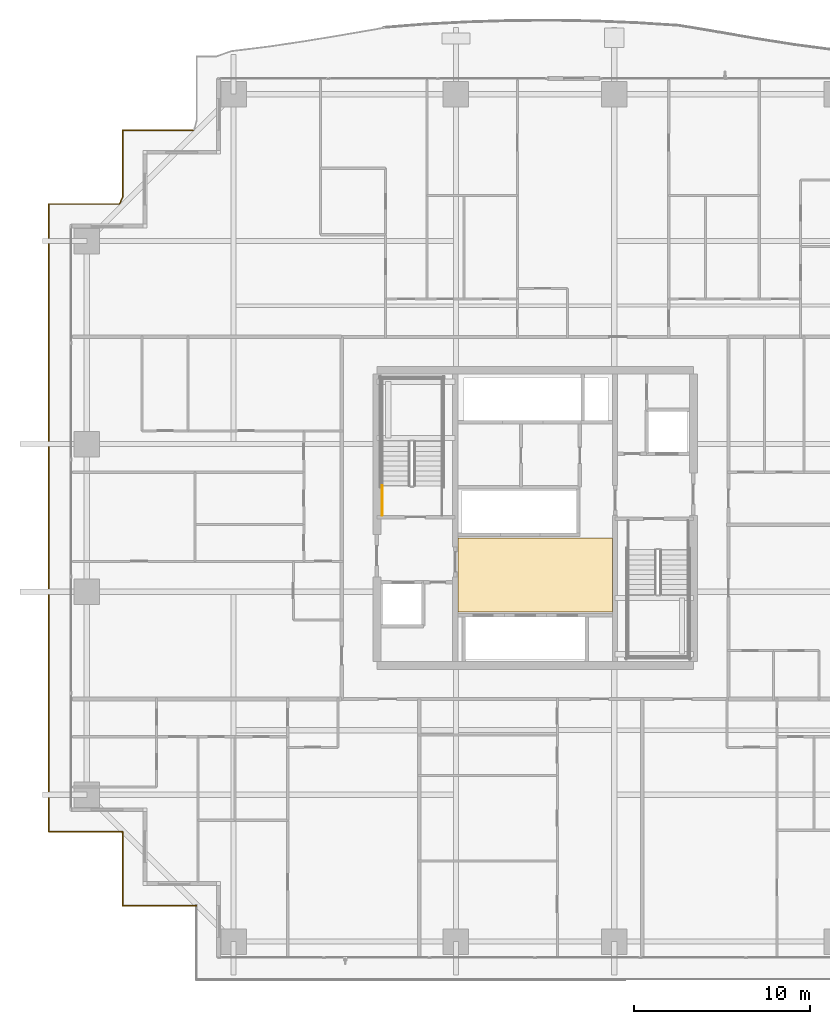
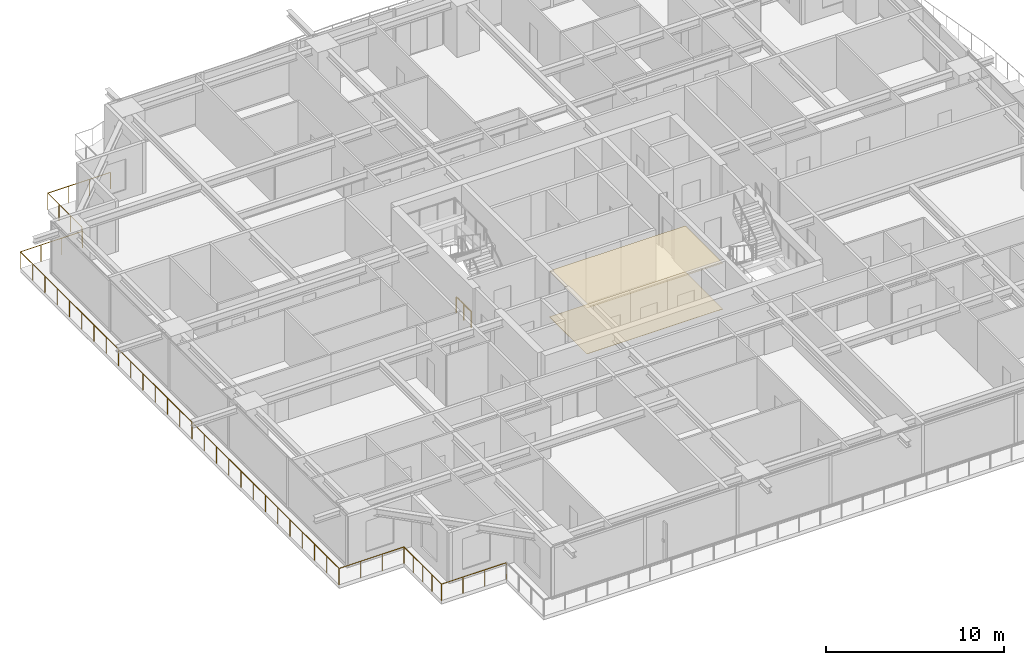
# One storey, part 34 of 38: 2 coverings, 2 railings.
"""IFC4 building model written with IfcOpenShell, lengths in metres."""

from ifc_helpers import new_model, si_unit, direction, frame, origin, origin_2d, place, context, subcontext, project, spatial, polyline, circle, outline, extrude, material, layer, layer_set, type_object, element, save


model = new_model("IFC4")

# Units and contexts
model_context = context("Model", 3, precision=1e-05, world=origin(), true_north=direction((0.0, 1.0)))
body_context = subcontext(model_context, "Body", "Model", "MODEL_VIEW")
ifc_project = project(units=[si_unit("LENGTHUNIT", "METRE"), si_unit("AREAUNIT", "SQUARE_METRE"), si_unit("VOLUMEUNIT", "CUBIC_METRE"), si_unit("PLANEANGLEUNIT", "RADIAN"), si_unit("MASSUNIT", "GRAM", prefix="KILO")], contexts=[model_context])

# Site, building, storey
site_placement = place(None, origin())
site = spatial("IfcSite", under=ifc_project, at=site_placement, CompositionType="ELEMENT")
building_placement = place(site_placement, origin())
building = spatial("IfcBuilding", under=site, at=building_placement, Name="Serunith Strait Residences", CompositionType="ELEMENT")
storey_placement = place(building_placement, frame((0.0, 0.0, 52.949951171875)))
storey = spatial("IfcBuildingStorey", under=building, at=storey_placement, Name="L12", CompositionType="ELEMENT", Elevation=52.949951171875)

# Coverings
ifc_material_1 = material(Name="Perforated acoustic gypsum ceiling tile")
ifc_layer_1 = layer(ifc_material_1, 0.02490234375, Name="Perforated acoustic gypsum ceiling tile")
ifc_layer_set_1 = layer_set([ifc_layer_1], Name="Perforated acoustic gypsum ceiling tile")
covering_type_1 = type_object("IfcCoveringType", Name="COV-CEIL-AC60", PredefinedType="CEILING", material=ifc_layer_set_1)
covering_1_placement = place(storey_placement, frame((0.0, 0.0, 3.14013671875)))
element("IfcCovering", 1, at=covering_1_placement, inside=storey, type_object=covering_type_1, Name="L12 Lift Lobby Acoustic Ceiling", PredefinedType="CEILING", context=body_context, shape_type="SweptSolid", body=[
    extrude(outline(polyline([(28.0, 19.85009765625), (36.800048828125, 19.85009765625), (36.800048828125, 24.050048828125), (28.0, 24.050048828125), (28.0, 19.85009765625)])), origin(), (0.0, 0.0, 1.0), 0.02490234375),
])
ifc_material_2 = material(Name="Honed limestone terrazzo flooring", Category="masonry")
ifc_layer_2 = layer(ifc_material_2, 0.02001953125, Name="Honed limestone terrazzo flooring")
ifc_layer_set_2 = layer_set([ifc_layer_2], Name="Honed limestone terrazzo flooring")
covering_type_2 = type_object("IfcCoveringType", Name="COV-FLOOR-TER40", PredefinedType="FLOORING", material=ifc_layer_set_2)
covering_2_placement = place(storey_placement, origin())
element("IfcCovering", 2, at=covering_2_placement, inside=storey, type_object=covering_type_2, Name="L12 Lift Lobby Terrazzo Flooring", PredefinedType="FLOORING", context=body_context, shape_type="SweptSolid", body=[
    extrude(outline(polyline([(28.0, 19.85009765625), (36.800048828125, 19.85009765625), (36.800048828125, 24.050048828125), (28.0, 24.050048828125), (28.0, 19.85009765625)])), origin(), (0.0, 0.0, 1.0), 0.02001953125),
])

# Railings
ifc_material_3 = material(Name="Stainless Steel & Laminated Glass Balustrade", Category="steel")
railing_type_1 = type_object("IfcRailingType", Name="RLG-BALC-1150", PredefinedType="BALUSTRADE", material=ifc_material_3)
railing_1_placement = place(storey_placement, frame((13.139892578125, 3.139892578125, -0.050048828125)))
element("IfcRailing", 3, at=railing_1_placement, inside=storey, type_object=railing_type_1, Name="L12 Swirling Balcony Perimeter Balustrade 8", PredefinedType="BALUSTRADE", context=body_context, shape_type="SweptSolid", body=[
    extrude(circle(Radius=0.02392578125, at=origin_2d()), frame((-0.001953125, 0.0, 1.1259765625), z_axis=(-1.0, 0.0, 0.0), x_axis=(0.0, -1.0, 0.0)), (0.0, 0.0, 1.0), 4.196044921875),
    extrude(circle(Radius=0.02392578125, at=origin_2d()), frame((-4.199951171875, 0.001953125, 1.1259765625), z_axis=(0.0, 1.0, 0.0), x_axis=(-1.0, 0.0, 0.0)), (0.0, 0.0, 1.0), 4.1962890625),
    extrude(circle(Radius=0.02392578125, at=origin_2d()), frame((-4.201904296875, 4.2001953125, 1.1259765625), z_axis=(-1.0, 0.0, 0.0), x_axis=(0.0, -1.0, 0.0)), (0.0, 0.0, 1.0), 4.196044921875),
    extrude(circle(Radius=0.02392578125, at=origin_2d()), frame((-8.39990234375, 4.2021484375, 1.1259765625), z_axis=(0.0, 1.0, 0.0), x_axis=(-1.0, 0.0, 0.0)), (0.0, 0.0, 1.0), 35.716064453125),
    extrude(circle(Radius=0.02392578125, at=origin_2d()), frame((-8.39794921875, 39.920166015625, 1.1259765625), z_axis=(1.0, 0.0, 0.0), x_axis=(0.0, 1.0, 0.0)), (0.0, 0.0, 1.0), 4.014892578125),
    extrude(circle(Radius=0.02392578125, at=origin_2d()), frame((-4.38037109375, 39.921875, 1.1259765625), z_axis=(0.414518347731, 0.91004095479, 0.0), x_axis=(-0.91004095479, 0.414518347731, 0.0)), (0.0, 0.0, 1.0), 0.43310546875),
    extrude(circle(Radius=0.02392578125, at=origin_2d()), frame((-4.199951171875, 40.31982421875, 1.1259765625), z_axis=(0.0, 1.0, 0.0), x_axis=(-1.0, 0.0, 0.0)), (0.0, 0.0, 1.0), 3.79833984375),
    extrude(circle(Radius=0.02392578125, at=origin_2d()), frame((-4.197998046875, 44.1201171875, 1.1259765625), z_axis=(1.0, 0.0, 0.0), x_axis=(0.0, 1.0, 0.0)), (0.0, 0.0, 1.0), 4.046142578125),
    extrude(circle(Radius=0.02099609375, at=origin_2d()), origin(), (0.0, 0.0, 1.0), 1.099853515625),
    extrude(circle(Radius=0.02099609375, at=origin_2d()), frame((-1.39990234375, 0.0, 0.0)), (0.0, 0.0, 1.0), 1.099853515625),
    extrude(circle(Radius=0.02099609375, at=origin_2d()), frame((-2.800048828125, 0.0, 0.0)), (0.0, 0.0, 1.0), 1.099853515625),
    extrude(circle(Radius=0.02099609375, at=origin_2d()), frame((-4.199951171875, 0.0, 0.0)), (0.0, 0.0, 1.0), 1.099853515625),
    extrude(circle(Radius=0.02099609375, at=origin_2d()), frame((-4.199951171875, 1.050048828125, 0.0)), (0.0, 0.0, 1.0), 1.099853515625),
    extrude(circle(Radius=0.02099609375, at=origin_2d()), frame((-4.199951171875, 2.10009765625, 0.0)), (0.0, 0.0, 1.0), 1.099853515625),
    extrude(circle(Radius=0.02099609375, at=origin_2d()), frame((-4.199951171875, 3.150146484375, 0.0)), (0.0, 0.0, 1.0), 1.099853515625),
    extrude(circle(Radius=0.02099609375, at=origin_2d()), frame((-4.199951171875, 4.2001953125, 0.0)), (0.0, 0.0, 1.0), 1.099853515625),
    extrude(circle(Radius=0.02099609375, at=origin_2d()), frame((-5.599853515625, 4.2001953125, 0.0)), (0.0, 0.0, 1.0), 1.099853515625),
    extrude(circle(Radius=0.02099609375, at=origin_2d()), frame((-7.0, 4.2001953125, 0.0)), (0.0, 0.0, 1.0), 1.099853515625),
    extrude(circle(Radius=0.02099609375, at=origin_2d()), frame((-8.39990234375, 4.2001953125, 0.0)), (0.0, 0.0, 1.0), 1.099853515625),
    extrude(circle(Radius=0.02099609375, at=origin_2d()), frame((-8.39990234375, 5.573974609375, 0.0)), (0.0, 0.0, 1.0), 1.099853515625),
    extrude(circle(Radius=0.02099609375, at=origin_2d()), frame((-8.39990234375, 6.947998046875, 0.0)), (0.0, 0.0, 1.0), 1.099853515625),
    extrude(circle(Radius=0.02099609375, at=origin_2d()), frame((-8.39990234375, 8.32177734375, 0.0)), (0.0, 0.0, 1.0), 1.099853515625),
    extrude(circle(Radius=0.02099609375, at=origin_2d()), frame((-8.39990234375, 9.695556640625, 0.0)), (0.0, 0.0, 1.0), 1.099853515625),
    extrude(circle(Radius=0.02099609375, at=origin_2d()), frame((-8.39990234375, 11.0693359375, 0.0)), (0.0, 0.0, 1.0), 1.099853515625),
    extrude(circle(Radius=0.02099609375, at=origin_2d()), frame((-8.39990234375, 12.443359375, 0.0)), (0.0, 0.0, 1.0), 1.099853515625),
    extrude(circle(Radius=0.02099609375, at=origin_2d()), frame((-8.39990234375, 13.817138671875, 0.0)), (0.0, 0.0, 1.0), 1.099853515625),
    extrude(circle(Radius=0.02099609375, at=origin_2d()), frame((-8.39990234375, 15.19091796875, 0.0)), (0.0, 0.0, 1.0), 1.099853515625),
    extrude(circle(Radius=0.02099609375, at=origin_2d()), frame((-8.39990234375, 16.564697265625, 0.0)), (0.0, 0.0, 1.0), 1.099853515625),
    extrude(circle(Radius=0.02099609375, at=origin_2d()), frame((-8.39990234375, 17.938720703125, 0.0)), (0.0, 0.0, 1.0), 1.099853515625),
    extrude(circle(Radius=0.02099609375, at=origin_2d()), frame((-8.39990234375, 19.3125, 0.0)), (0.0, 0.0, 1.0), 1.099853515625),
    extrude(circle(Radius=0.02099609375, at=origin_2d()), frame((-8.39990234375, 20.686279296875, 0.0)), (0.0, 0.0, 1.0), 1.099853515625),
    extrude(circle(Radius=0.02099609375, at=origin_2d()), frame((-8.39990234375, 22.06005859375, 0.0)), (0.0, 0.0, 1.0), 1.099853515625),
    extrude(circle(Radius=0.02099609375, at=origin_2d()), frame((-8.39990234375, 23.43408203125, 0.0)), (0.0, 0.0, 1.0), 1.099853515625),
    extrude(circle(Radius=0.02099609375, at=origin_2d()), frame((-8.39990234375, 24.807861328125, 0.0)), (0.0, 0.0, 1.0), 1.099853515625),
    extrude(circle(Radius=0.02099609375, at=origin_2d()), frame((-8.39990234375, 26.181640625, 0.0)), (0.0, 0.0, 1.0), 1.099853515625),
    extrude(circle(Radius=0.02099609375, at=origin_2d()), frame((-8.39990234375, 27.5556640625, 0.0)), (0.0, 0.0, 1.0), 1.099853515625),
    extrude(circle(Radius=0.02099609375, at=origin_2d()), frame((-8.39990234375, 28.929443359375, 0.0)), (0.0, 0.0, 1.0), 1.099853515625),
    extrude(circle(Radius=0.02099609375, at=origin_2d()), frame((-8.39990234375, 30.30322265625, 0.0)), (0.0, 0.0, 1.0), 1.099853515625),
    extrude(circle(Radius=0.02099609375, at=origin_2d()), frame((-8.39990234375, 31.677001953125, 0.0)), (0.0, 0.0, 1.0), 1.099853515625),
    extrude(circle(Radius=0.02099609375, at=origin_2d()), frame((-8.39990234375, 33.051025390625, 0.0)), (0.0, 0.0, 1.0), 1.099853515625),
    extrude(circle(Radius=0.02099609375, at=origin_2d()), frame((-8.39990234375, 34.4248046875, 0.0)), (0.0, 0.0, 1.0), 1.099853515625),
    extrude(circle(Radius=0.02099609375, at=origin_2d()), frame((-8.39990234375, 35.798583984375, 0.0)), (0.0, 0.0, 1.0), 1.099853515625),
    extrude(circle(Radius=0.02099609375, at=origin_2d()), frame((-8.39990234375, 37.17236328125, 0.0)), (0.0, 0.0, 1.0), 1.099853515625),
    extrude(circle(Radius=0.02099609375, at=origin_2d()), frame((-8.39990234375, 38.54638671875, 0.0)), (0.0, 0.0, 1.0), 1.099853515625),
    extrude(circle(Radius=0.02099609375, at=origin_2d()), frame((-8.39990234375, 39.920166015625, 0.0)), (0.0, 0.0, 1.0), 1.099853515625),
    extrude(circle(Radius=0.02099609375, at=origin_2d()), frame((-7.060302734375, 39.920166015625, 0.0)), (0.0, 0.0, 1.0), 1.099853515625),
    extrude(circle(Radius=0.02099609375, at=origin_2d()), frame((-5.720703125, 39.920166015625, 0.0)), (0.0, 0.0, 1.0), 1.099853515625),
    extrude(circle(Radius=0.02099609375, at=origin_2d()), frame((-4.381103515625, 39.920166015625, 0.0)), (0.0, 0.0, 1.0), 1.099853515625),
    extrude(circle(Radius=0.02099609375, at=origin_2d()), frame((-4.199951171875, 40.31787109375, 0.0)), (0.0, 0.0, 1.0), 1.099853515625),
    extrude(circle(Radius=0.02099609375, at=origin_2d()), frame((-4.199951171875, 41.585205078125, 0.0)), (0.0, 0.0, 1.0), 1.099853515625),
    extrude(circle(Radius=0.02099609375, at=origin_2d()), frame((-4.199951171875, 42.852783203125, 0.0)), (0.0, 0.0, 1.0), 1.099853515625),
    extrude(circle(Radius=0.02099609375, at=origin_2d()), frame((-4.199951171875, 44.1201171875, 0.0)), (0.0, 0.0, 1.0), 1.099853515625),
    extrude(circle(Radius=0.02099609375, at=origin_2d()), frame((-2.849853515625, 44.1201171875, 0.0)), (0.0, 0.0, 1.0), 1.099853515625),
    extrude(circle(Radius=0.02099609375, at=origin_2d()), frame((-1.5, 44.1201171875, 0.0)), (0.0, 0.0, 1.0), 1.099853515625),
    extrude(circle(Radius=0.02099609375, at=origin_2d()), frame((-0.14990234375, 44.1201171875, 0.0)), (0.0, 0.0, 1.0), 1.099853515625),
])
ifc_material_4 = material(Name="Brushed stainless steel 316L", Category="steel")
railing_type_2 = type_object("IfcRailingType", Name="RLG-STAIR-GUARD", PredefinedType="BALUSTRADE", material=ifc_material_4)
railing_2_placement = place(storey_placement, frame((23.699951171875, 25.35009765625, 0.0)))
element("IfcRailing", 4, at=railing_2_placement, inside=storey, type_object=railing_type_2, Name="L12 ST-1 stair guard 9", PredefinedType="BALUSTRADE", context=body_context, shape_type="SweptSolid", body=[
    extrude(circle(Radius=0.02392578125, at=origin_2d()), frame((0.0, 0.001953125, 1.076171875), z_axis=(0.0, 1.0, 0.0), x_axis=(-1.0, 0.0, 0.0)), (0.0, 0.0, 1.0), 1.676025390625),
    extrude(circle(Radius=0.02099609375, at=origin_2d()), origin(), (0.0, 0.0, 1.0), 1.050048828125),
    extrude(circle(Radius=0.02099609375, at=origin_2d()), frame((0.0, 0.83984375, 0.0)), (0.0, 0.0, 1.0), 1.050048828125),
    extrude(circle(Radius=0.02099609375, at=origin_2d()), frame((0.0, 1.679931640625, 0.0)), (0.0, 0.0, 1.0), 1.050048828125),
])

save(model, "model.ifc")
